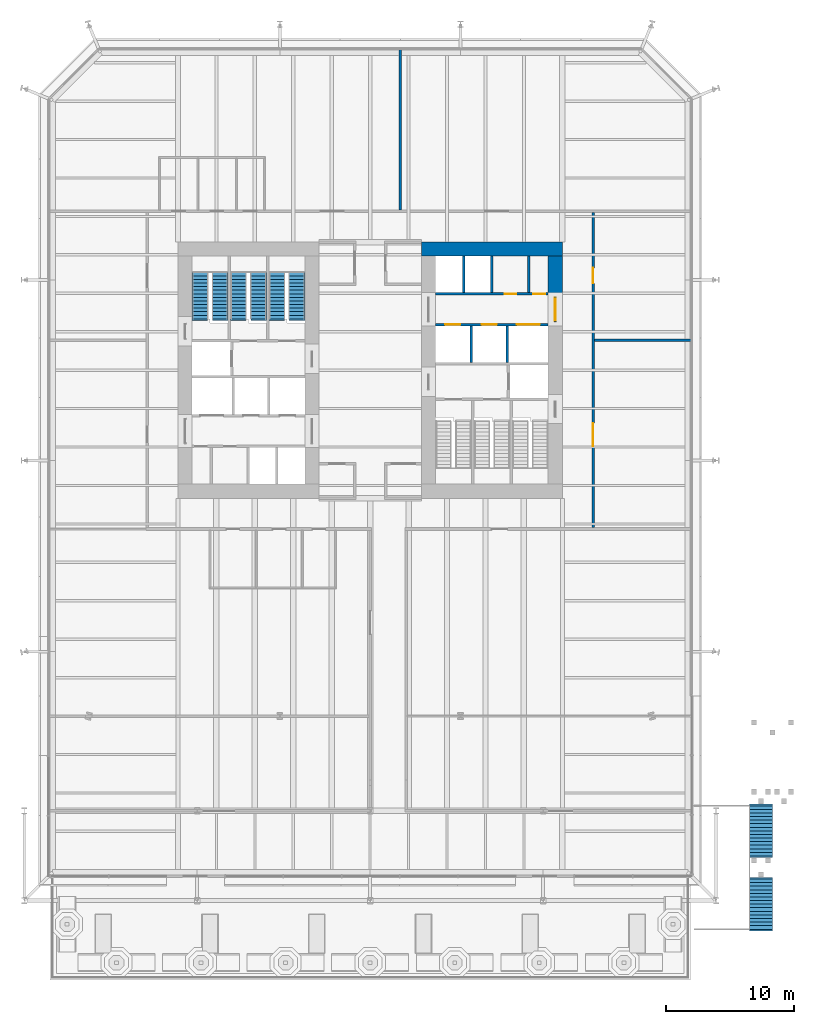
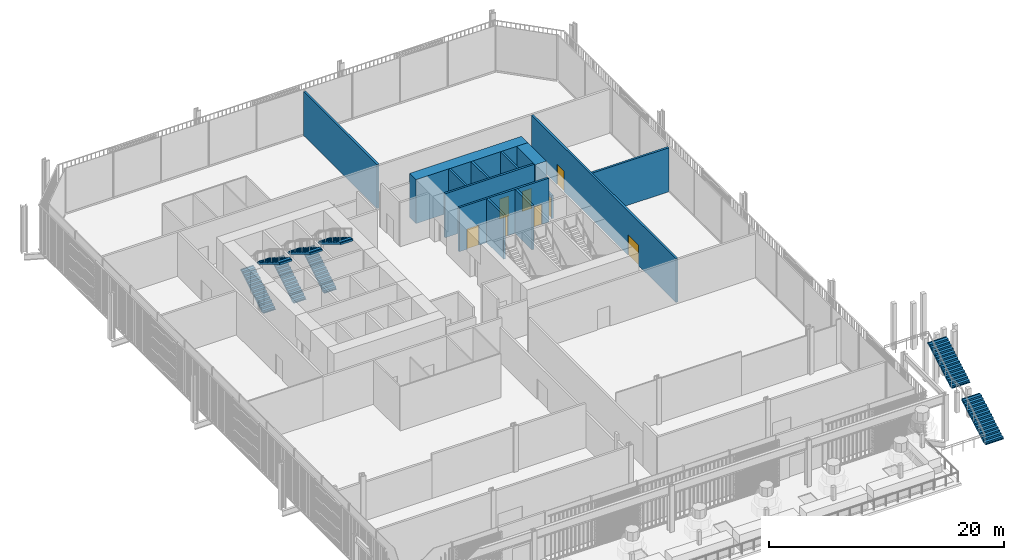
# One storey, part 21 of 25: 13 walls, 8 doors, 8 stair flights, 8 openings, 4 elements without a shape of their own.
"""IFC4 building model written with IfcOpenShell, lengths in metres."""

from ifc_helpers import new_model, si_unit, direction, frame, frame_2d, origin, place, context, subcontext, project, spatial, polyline, rectangle, outline, extrude, material, layer, layer_set, type_object, element, fill, aggregate, save


model = new_model("IFC4")

# Units and contexts
model_context = context("Model", 3, precision=1e-05, world=origin(), true_north=direction((0.0, 1.0)))
body_context = subcontext(model_context, "Body", "Model", "MODEL_VIEW")
ifc_project = project(units=[si_unit("LENGTHUNIT", "METRE"), si_unit("AREAUNIT", "SQUARE_METRE"), si_unit("VOLUMEUNIT", "CUBIC_METRE"), si_unit("PLANEANGLEUNIT", "RADIAN"), si_unit("MASSUNIT", "GRAM", prefix="KILO")], contexts=[model_context])

# Site, building, storey
site_placement = place(None, origin())
site = spatial("IfcSite", under=ifc_project, at=site_placement, CompositionType="ELEMENT")
building_placement = place(site_placement, origin())
building = spatial("IfcBuilding", under=site, at=building_placement, Name="Millrace Tower", CompositionType="ELEMENT")
storey_placement = place(building_placement, frame((0.0, 0.0, 6.5)))
storey = spatial("IfcBuildingStorey", under=building, at=storey_placement, Name="L02", CompositionType="ELEMENT", Elevation=6.5)

# Walls
ifc_material_1 = material(Name="Concrete C80", Category="concrete")
ifc_layer_1 = layer(ifc_material_1, 1.10009765625)
ifc_layer_set_1 = layer_set([ifc_layer_1], Name="Concrete C80")
wall_type_1 = type_object("IfcWallType", Name="Core wall 1100 Concrete C80", PredefinedType="SHEAR", material=ifc_layer_set_1)
wall_1_placement = place(storey_placement, frame((15.0, 9.449951171875, 0.0), z_axis=(0.0, 0.0, 1.0), x_axis=(-1.0, 0.0, 0.0)))
element("IfcWall", 1, at=wall_1_placement, inside=storey, type_object=wall_type_1, Name="Core wall E L02", PredefinedType="SHEAR", context=body_context, shape_type="SweptSolid", body=[
    extrude(rectangle(XDim=11.0, YDim=1.10009765625, at=frame_2d((5.5, 0.0))), origin(), (0.0, 0.0, 1.0), 4.574951171875),
])
wall_2_placement = place(storey_placement, frame((14.449951171875, 8.89990234375, 0.0), z_axis=(0.0, 0.0, 1.0), x_axis=(0.0, -1.0, 0.0)))
element("IfcWall", 2, at=wall_2_placement, inside=storey, type_object=wall_type_1, Name="Core wall E L02", PredefinedType="SHEAR", context=body_context, shape_type="SweptSolid", body=[
    extrude(rectangle(XDim=3.14990234375, YDim=1.10009765625, at=frame_2d((1.574951171875, 0.0))), origin(), (0.0, 0.0, 1.0), 4.574951171875),
])
ifc_material_2 = material(Name="Masonry partition, fire-rated", Category="masonry")
ifc_layer_2 = layer(ifc_material_2, 0.199951171875)
ifc_layer_set_2 = layer_set([ifc_layer_2], Name="Masonry partition, fire-rated")
wall_type_2 = type_object("IfcWallType", Name="Corridor wall 200", PredefinedType="PARTITIONING", material=ifc_layer_set_2)
wall_3_placement = place(storey_placement, frame((17.5, 2.35009765625, 0.0), z_axis=(0.0, 0.0, 1.0), x_axis=(1.0, 0.0, 0.0)))
element("IfcWall", 3, at=wall_3_placement, inside=storey, type_object=wall_type_2, Name="Corridor wall L02", PredefinedType="PARTITIONING", context=body_context, shape_type="SweptSolid", body=[
    extrude(rectangle(XDim=7.530029296875, YDim=0.199951171875, at=frame_2d((3.76513671875, 0.0))), origin(), (0.0, 0.0, 1.0), 4.574951171875),
])

# Wall, openings, doors
wall_4_placement = place(storey_placement, frame((17.39990234375, -12.300048828125, 0.0), z_axis=(0.0, 0.0, 1.0), x_axis=(0.0, 1.0, 0.0)))
wall_4 = element("IfcWall", 4, at=wall_4_placement, inside=storey, type_object=wall_type_2, Name="Corridor wall L02", PredefinedType="PARTITIONING", context=body_context, shape_type="SweptSolid", body=[
    extrude(rectangle(XDim=24.60009765625, YDim=0.199951171875, at=frame_2d((12.300048828125, 0.0))), origin(), (0.0, 0.0, 1.0), 4.574951171875),
])
opening_1_placement = place(wall_4_placement, frame((6.375, 0.0, 0.0)))
opening_1 = element("IfcOpeningElement", 5, at=opening_1_placement, cuts=wall_4, Name="Opening 02-P010", PredefinedType="OPENING", context=body_context, shape_type="SweptSolid", body=[
    extrude(rectangle(XDim=1.800048828125, YDim=2.10009765625, at=frame_2d((0.89990234375, 1.050048828125))), frame((0.0, 0.10986328125, 0.0), z_axis=(0.0, -1.0, 0.0), x_axis=(1.0, 0.0, 0.0)), (0.0, 0.0, 1.0), 0.219970703125),
])
opening_2_placement = place(wall_4_placement, frame((19.074951171875, 0.0, 0.0)))
opening_2 = element("IfcOpeningElement", 6, at=opening_2_placement, cuts=wall_4, Name="Opening 02-P011", PredefinedType="OPENING", context=body_context, shape_type="SweptSolid", body=[
    extrude(rectangle(XDim=1.199951171875, YDim=2.10009765625, at=frame_2d((0.60009765625, 1.050048828125))), frame((0.0, 0.10986328125, 0.0), z_axis=(0.0, -1.0, 0.0), x_axis=(1.0, 0.0, 0.0)), (0.0, 0.0, 1.0), 0.219970703125),
])
ifc_material_3 = material(Name="Steel door set, fire-rated", Category="steel")
door_type_1 = type_object("IfcDoorType", Name="Corridor door 1200 x 2100", OperationType="SINGLE_SWING_LEFT", PredefinedType="DOOR", material=ifc_material_3)
door_1_placement = place(opening_2_placement, frame((1.199951171875, 0.0, 0.0), z_axis=(0.0, 0.0, 1.0), x_axis=(-1.0, 0.0, 0.0)))
door_1 = element("IfcDoor", 7, at=door_1_placement, inside=storey, type_object=door_type_1, Name="Door 02-P011", OperationType="SINGLE_SWING_LEFT", OverallHeight=2.10009765625, OverallWidth=1.199951171875, PredefinedType="DOOR", context=body_context, shape_type="SweptSolid", body=[
    extrude(rectangle(XDim=1.199951171875, YDim=2.10009765625, at=frame_2d((0.60009765625, 1.050048828125))), frame((0.0, 0.02490234375, 0.0), z_axis=(0.0, -1.0, 0.0), x_axis=(1.0, 0.0, 0.0)), (0.0, 0.0, 1.0), 0.050048828125),
])
fill(opening_2, door_1)
ifc_material_4 = material(Name="Steel door set, fire-rated", Category="steel")
door_type_2 = type_object("IfcDoorType", Name="Data hall door 1800 x 2100", OperationType="DOUBLE_DOOR_SINGLE_SWING", PredefinedType="DOOR", material=ifc_material_4)
door_2_placement = place(opening_1_placement, frame((1.800048828125, 0.0, 0.0), z_axis=(0.0, 0.0, 1.0), x_axis=(-1.0, 0.0, 0.0)))
door_2 = element("IfcDoor", 8, at=door_2_placement, inside=storey, type_object=door_type_2, Name="Door 02-P010", OperationType="DOUBLE_DOOR_SINGLE_SWING", OverallHeight=2.10009765625, OverallWidth=1.800048828125, PredefinedType="DOOR", context=body_context, shape_type="SweptSolid", body=[
    extrude(rectangle(XDim=1.800048828125, YDim=2.10009765625, at=frame_2d((0.89990234375, 1.050048828125))), frame((0.0, 0.02490234375, 0.0), z_axis=(0.0, -1.0, 0.0), x_axis=(1.0, 0.0, 0.0)), (0.0, 0.0, 1.0), 0.050048828125),
])
fill(opening_1, door_2)

# Wall
wall_5_placement = place(storey_placement, frame((2.35009765625, 12.5, 0.0), z_axis=(0.0, 0.0, 1.0), x_axis=(0.0, 1.0, 0.0)))
element("IfcWall", 9, at=wall_5_placement, inside=storey, type_object=wall_type_2, Name="Corridor wall L02", PredefinedType="PARTITIONING", context=body_context, shape_type="SweptSolid", body=[
    extrude(rectangle(XDim=12.530029296875, YDim=0.199951171875, at=frame_2d((6.26513671875, 0.0))), origin(), (0.0, 0.0, 1.0), 4.574951171875),
])

# Wall, openings, doors
ifc_material_5 = material(Name="Masonry partition, fire-rated", Category="masonry")
ifc_layer_3 = layer(ifc_material_5, 0.199951171875)
ifc_layer_set_3 = layer_set([ifc_layer_3], Name="Masonry partition, fire-rated")
wall_type_3 = type_object("IfcWallType", Name="Lift shaft wall 200", PredefinedType="PARTITIONING", material=ifc_layer_set_3)
wall_6_placement = place(storey_placement, frame((13.89990234375, 5.949951171875, 0.0), z_axis=(0.0, 0.0, 1.0), x_axis=(-1.0, 0.0, 0.0)))
wall_6 = element("IfcWall", 10, at=wall_6_placement, inside=storey, type_object=wall_type_3, Name="Lift shaft wall E L02", PredefinedType="PARTITIONING", context=body_context, shape_type="SweptSolid", body=[
    extrude(rectangle(XDim=8.7998046875, YDim=0.199951171875, at=frame_2d((4.39990234375, 0.0))), origin(), (0.0, 0.0, 1.0), 4.574951171875),
])
opening_3_placement = place(wall_6_placement, frame((0.25244140625, 0.0, 0.0)))
opening_3 = element("IfcOpeningElement", 11, at=opening_3_placement, cuts=wall_6, Name="Opening 02-C013", PredefinedType="OPENING", context=body_context, shape_type="SweptSolid", body=[
    extrude(rectangle(XDim=0.89990234375, YDim=2.10009765625, at=frame_2d((0.449951171875, 1.050048828125))), frame((0.0, 0.10986328125, 0.0), z_axis=(0.0, -1.0, 0.0), x_axis=(1.0, 0.0, 0.0)), (0.0, 0.0, 1.0), 0.219970703125),
])
opening_4_placement = place(wall_6_placement, frame((2.50244140625, 0.0, 0.0)))
opening_4 = element("IfcOpeningElement", 12, at=opening_4_placement, cuts=wall_6, Name="Opening 02-C014", PredefinedType="OPENING", context=body_context, shape_type="SweptSolid", body=[
    extrude(rectangle(XDim=0.89990234375, YDim=2.10009765625, at=frame_2d((0.449951171875, 1.050048828125))), frame((0.0, 0.10986328125, 0.0), z_axis=(0.0, -1.0, 0.0), x_axis=(1.0, 0.0, 0.0)), (0.0, 0.0, 1.0), 0.219970703125),
])
ifc_material_6 = material(Name="Steel door, fire-rated", Category="steel")
door_type_3 = type_object("IfcDoorType", Name="Service room door 900 x 2100", OperationType="SINGLE_SWING_LEFT", PredefinedType="DOOR", material=ifc_material_6)
door_3_placement = place(opening_3_placement, frame((0.89990234375, 0.0, 0.0), z_axis=(0.0, 0.0, 1.0), x_axis=(-1.0, 0.0, 0.0)))
door_3 = element("IfcDoor", 13, at=door_3_placement, inside=storey, type_object=door_type_3, Name="Service room door 02-C013", OperationType="SINGLE_SWING_RIGHT", OverallHeight=2.10009765625, OverallWidth=0.89990234375, PredefinedType="DOOR", context=body_context, shape_type="SweptSolid", body=[
    extrude(rectangle(XDim=0.89990234375, YDim=2.10009765625, at=frame_2d((0.449951171875, 1.050048828125))), frame((0.0, 0.02490234375, 0.0), z_axis=(0.0, -1.0, 0.0), x_axis=(1.0, 0.0, 0.0)), (0.0, 0.0, 1.0), 0.050048828125),
])
fill(opening_3, door_3)
door_4_placement = place(opening_4_placement, frame((0.89990234375, 0.0, 0.0), z_axis=(0.0, 0.0, 1.0), x_axis=(-1.0, 0.0, 0.0)))
door_4 = element("IfcDoor", 14, at=door_4_placement, inside=storey, type_object=door_type_3, Name="Service room door 02-C014", OperationType="SINGLE_SWING_RIGHT", OverallHeight=2.10009765625, OverallWidth=0.89990234375, PredefinedType="DOOR", context=body_context, shape_type="SweptSolid", body=[
    extrude(rectangle(XDim=0.89990234375, YDim=2.10009765625, at=frame_2d((0.449951171875, 1.050048828125))), frame((0.0, 0.02490234375, 0.0), z_axis=(0.0, -1.0, 0.0), x_axis=(1.0, 0.0, 0.0)), (0.0, 0.0, 1.0), 0.050048828125),
])
fill(opening_4, door_4)

wall_7_placement = place(storey_placement, frame((13.89990234375, 3.550048828125, 0.0), z_axis=(0.0, 0.0, 1.0), x_axis=(-1.0, 0.0, 0.0)))
wall_7 = element("IfcWall", 15, at=wall_7_placement, inside=storey, type_object=wall_type_3, Name="Lift shaft wall E L02", PredefinedType="PARTITIONING", context=body_context, shape_type="SweptSolid", body=[
    extrude(rectangle(XDim=8.7998046875, YDim=0.199951171875, at=frame_2d((4.39990234375, 0.0))), origin(), (0.0, 0.0, 1.0), 4.574951171875),
])
opening_5_placement = place(wall_7_placement, frame((0.64990234375, 0.0, 0.0)))
opening_5 = element("IfcOpeningElement", 16, at=opening_5_placement, cuts=wall_7, Name="Opening 02-LD13", PredefinedType="OPENING", context=body_context, shape_type="SweptSolid", body=[
    extrude(rectangle(XDim=1.800048828125, YDim=2.10009765625, at=frame_2d((0.89990234375, 1.050048828125))), frame((0.0, 0.10986328125, 0.0), z_axis=(0.0, -1.0, 0.0), x_axis=(1.0, 0.0, 0.0)), (0.0, 0.0, 1.0), 0.219970703125),
])
opening_6_placement = place(wall_7_placement, frame((4.0, 0.0, 0.0)))
opening_6 = element("IfcOpeningElement", 17, at=opening_6_placement, cuts=wall_7, Name="Opening 02-LD14", PredefinedType="OPENING", context=body_context, shape_type="SweptSolid", body=[
    extrude(rectangle(XDim=1.199951171875, YDim=2.10009765625, at=frame_2d((0.60009765625, 1.050048828125))), frame((0.0, 0.10986328125, 0.0), z_axis=(0.0, -1.0, 0.0), x_axis=(1.0, 0.0, 0.0)), (0.0, 0.0, 1.0), 0.219970703125),
])
opening_7_placement = place(wall_7_placement, frame((6.85009765625, 0.0, 0.0)))
opening_7 = element("IfcOpeningElement", 18, at=opening_7_placement, cuts=wall_7, Name="Opening 02-LD15", PredefinedType="OPENING", context=body_context, shape_type="SweptSolid", body=[
    extrude(rectangle(XDim=1.199951171875, YDim=2.10009765625, at=frame_2d((0.60009765625, 1.050048828125))), frame((0.0, 0.10986328125, 0.0), z_axis=(0.0, -1.0, 0.0), x_axis=(1.0, 0.0, 0.0)), (0.0, 0.0, 1.0), 0.219970703125),
])
ifc_material_7 = material(Name="Stainless steel, fire-rated", Category="steel")
door_type_4 = type_object("IfcDoorType", Name="Lift landing door 1200 x 2100", OperationType="DOUBLE_DOOR_SLIDING", PredefinedType="DOOR", material=ifc_material_7)
door_5_placement = place(opening_6_placement, origin())
door_5 = element("IfcDoor", 19, at=door_5_placement, inside=storey, type_object=door_type_4, Name="Lift landing door LF14 L02", OperationType="DOUBLE_DOOR_SLIDING", OverallHeight=2.10009765625, OverallWidth=1.199951171875, PredefinedType="DOOR", context=body_context, shape_type="SweptSolid", body=[
    extrude(rectangle(XDim=1.199951171875, YDim=2.10009765625, at=frame_2d((0.60009765625, 1.050048828125))), frame((0.0, 0.02490234375, 0.0), z_axis=(0.0, -1.0, 0.0), x_axis=(1.0, 0.0, 0.0)), (0.0, 0.0, 1.0), 0.050048828125),
])
fill(opening_6, door_5)
door_6_placement = place(opening_7_placement, origin())
door_6 = element("IfcDoor", 20, at=door_6_placement, inside=storey, type_object=door_type_4, Name="Lift landing door LF15 L02", OperationType="DOUBLE_DOOR_SLIDING", OverallHeight=2.10009765625, OverallWidth=1.199951171875, PredefinedType="DOOR", context=body_context, shape_type="SweptSolid", body=[
    extrude(rectangle(XDim=1.199951171875, YDim=2.10009765625, at=frame_2d((0.60009765625, 1.050048828125))), frame((0.0, 0.02490234375, 0.0), z_axis=(0.0, -1.0, 0.0), x_axis=(1.0, 0.0, 0.0)), (0.0, 0.0, 1.0), 0.050048828125),
])
fill(opening_7, door_6)
ifc_material_8 = material(Name="Stainless steel, fire-rated", Category="steel")
door_type_5 = type_object("IfcDoorType", Name="Lift landing door 1800 x 2100", OperationType="DOUBLE_DOOR_SLIDING", PredefinedType="DOOR", material=ifc_material_8)
door_7_placement = place(opening_5_placement, origin())
door_7 = element("IfcDoor", 21, at=door_7_placement, inside=storey, type_object=door_type_5, Name="Lift landing door LF13 L02", OperationType="DOUBLE_DOOR_SLIDING", OverallHeight=2.10009765625, OverallWidth=1.800048828125, PredefinedType="DOOR", context=body_context, shape_type="SweptSolid", body=[
    extrude(rectangle(XDim=1.800048828125, YDim=2.10009765625, at=frame_2d((0.89990234375, 1.050048828125))), frame((0.0, 0.02490234375, 0.0), z_axis=(0.0, -1.0, 0.0), x_axis=(1.0, 0.0, 0.0)), (0.0, 0.0, 1.0), 0.050048828125),
])
fill(opening_5, door_7)

# Walls
for number, where, z_axis, x_axis, name in (
    (22, (9.5, 8.89990234375, 0.0), (0.0, 0.0, 1.0), (0.0, -1.0, 0.0), "Lift shaft wall E L02"),
    (23, (7.300048828125, 8.89990234375, 0.0), (0.0, 0.0, 1.0), (0.0, -1.0, 0.0), "Lift shaft wall E L02"),
    (24, (10.699951171875, 3.449951171875, 0.0), (0.0, 0.0, 1.0), (0.0, -1.0, 0.0), "Lift shaft wall E L02"),
    (25, (7.89990234375, 3.449951171875, 0.0), (0.0, 0.0, 1.0), (0.0, -1.0, 0.0), "Lift shaft wall E L02"),
):
    element("IfcWall", number, at=place(storey_placement, frame(where, z_axis=z_axis, x_axis=x_axis)), inside=storey, type_object=wall_type_3, Name=name, PredefinedType="PARTITIONING", context=body_context, shape_type="SweptSolid", body=[
        extrude(rectangle(XDim=2.849853515625, YDim=0.199951171875, at=frame_2d((1.4248046875, 0.0))), origin(), (0.0, 0.0, 1.0), 4.574951171875),
    ])

# Wall, opening, door
ifc_material_9 = material(Name="Masonry partition, fire-rated", Category="masonry")
ifc_layer_4 = layer(ifc_material_9, 0.199951171875)
ifc_layer_set_4 = layer_set([ifc_layer_4], Name="Masonry partition, fire-rated")
wall_type_4 = type_object("IfcWallType", Name="Lobby wall 200", PredefinedType="PARTITIONING", material=ifc_layer_set_4)
wall_8_placement = place(storey_placement, frame((14.449951171875, 5.75, 0.0), z_axis=(0.0, 0.0, 1.0), x_axis=(0.0, -1.0, 0.0)))
wall_8 = element("IfcWall", 26, at=wall_8_placement, inside=storey, type_object=wall_type_4, Name="Lobby wall E L02", PredefinedType="PARTITIONING", context=body_context, shape_type="SweptSolid", body=[
    extrude(rectangle(XDim=2.0, YDim=0.199951171875, at=frame_2d((1.0, 0.0))), origin(), (0.0, 0.0, 1.0), 2.39990234375),
])
opening_8_placement = place(wall_8_placement, frame((0.10009765625, 0.0, 0.0)))
opening_8 = element("IfcOpeningElement", 27, at=opening_8_placement, cuts=wall_8, Name="Opening 02-C009", PredefinedType="OPENING", context=body_context, shape_type="SweptSolid", body=[
    extrude(rectangle(XDim=1.800048828125, YDim=2.10009765625, at=frame_2d((0.89990234375, 1.050048828125))), frame((0.0, 0.10986328125, 0.0), z_axis=(0.0, -1.0, 0.0), x_axis=(1.0, 0.0, 0.0)), (0.0, 0.0, 1.0), 0.219970703125),
])
ifc_material_10 = material(Name="Steel door, fire-rated", Category="steel")
door_type_6 = type_object("IfcDoorType", Name="Lobby door 1800 x 2100", OperationType="DOUBLE_DOOR_SINGLE_SWING", PredefinedType="DOOR", material=ifc_material_10)
door_8_placement = place(opening_8_placement, origin())
door_8 = element("IfcDoor", 28, at=door_8_placement, inside=storey, type_object=door_type_6, Name="Lobby door 02-C009", OperationType="DOUBLE_DOOR_SINGLE_SWING", OverallHeight=2.10009765625, OverallWidth=1.800048828125, PredefinedType="DOOR", context=body_context, shape_type="SweptSolid", body=[
    extrude(rectangle(XDim=1.800048828125, YDim=2.10009765625, at=frame_2d((0.89990234375, 1.050048828125))), frame((0.0, 0.02490234375, 0.0), z_axis=(0.0, -1.0, 0.0), x_axis=(1.0, 0.0, 0.0)), (0.0, 0.0, 1.0), 0.050048828125),
])
fill(opening_8, door_8)

# Wall
ifc_material_11 = material(Name="Masonry partition, fire-rated", Category="masonry")
ifc_layer_5 = layer(ifc_material_11, 0.199951171875)
ifc_layer_set_5 = layer_set([ifc_layer_5], Name="Masonry partition, fire-rated")
wall_type_5 = type_object("IfcWallType", Name="Room partition 200", PredefinedType="PARTITIONING", material=ifc_layer_set_5)
wall_9_placement = place(storey_placement, frame((12.39501953125, 8.89990234375, 0.0), z_axis=(0.0, 0.0, 1.0), x_axis=(0.0, -1.0, 0.0)))
element("IfcWall", 29, at=wall_9_placement, inside=storey, type_object=wall_type_5, Name="Room partition E L02", PredefinedType="PARTITIONING", context=body_context, shape_type="SweptSolid", body=[
    extrude(rectangle(XDim=2.849853515625, YDim=0.199951171875, at=frame_2d((1.4248046875, 0.0))), origin(), (0.0, 0.0, 1.0), 4.574951171875),
])

# Stair, stair flights
ifc_material_12 = material(Name="Concrete C35", Category="concrete")
stair_type_1 = type_object("IfcStairType", Name="Exit stair", PredefinedType="HALF_TURN_STAIR", material=ifc_material_12)
placement = place(storey_placement, origin())
stair_1 = element("IfcStair", 30, at=placement, inside=storey, type_object=stair_type_1, Name="Stair 1 W L02", PredefinedType="HALF_TURN_STAIR")
ifc_material_13 = material(Name="Concrete C35", Category="concrete")
stair_flight_type_1 = type_object("IfcStairFlightType", Name="Exit stair flight", PredefinedType="STRAIGHT", material=ifc_material_13)
stair_flight_1_placement = place(storey_placement, frame((-13.2900390625, 4.0, 0.0), z_axis=(0.0, 0.0, 1.0), x_axis=(0.0, 1.0, 0.0)))
stair_flight_1 = element("IfcStairFlight", 31, at=stair_flight_1_placement, type_object=stair_flight_type_1, Name="ST12 flight 1", NumberOfRisers=14, NumberOfTreads=13, PredefinedType="STRAIGHT", RiserHeight=0.171428571, TreadLength=0.28, context=body_context, shape_type="SweptSolid", body=[
    extrude(outline(polyline([(-0.1201171875, -0.0400390625), (-0.1201171875, 0.0), (0.0, 0.0), (0.0, 0.17138671875), (0.280029296875, 0.17138671875), (0.280029296875, 0.3427734375), (0.56005859375, 0.3427734375), (0.56005859375, 0.514404296875), (0.840087890625, 0.514404296875), (0.840087890625, 0.685791015625), (1.1201171875, 0.685791015625), (1.1201171875, 0.857177734375), (1.39990234375, 0.857177734375), (1.39990234375, 1.028564453125), (1.679931640625, 1.028564453125), (1.679931640625, 1.199951171875), (1.9599609375, 1.199951171875), (1.9599609375, 1.371337890625), (2.239990234375, 1.371337890625), (2.239990234375, 1.54296875), (2.52001953125, 1.54296875), (2.52001953125, 1.71435546875), (2.800048828125, 1.71435546875), (2.800048828125, 1.8857421875), (3.080078125, 1.8857421875), (3.080078125, 2.05712890625), (3.360107421875, 2.05712890625), (3.360107421875, 2.228515625), (3.639892578125, 2.228515625), (3.639892578125, 2.24853515625), (3.760009765625, 2.24853515625), (3.760009765625, 2.052734375), (3.639892578125, 2.052734375), (0.287109375, 0.0), (0.287109375, -0.0400390625), (-0.1201171875, -0.0400390625)])), frame((0.0, 0.60986328125, 0.0), z_axis=(0.0, -1.0, 0.0), x_axis=(1.0, 0.0, 0.0)), (0.0, 0.0, 1.0), 1.219970703125),
])
stair_flight_2_placement = place(storey_placement, frame((-11.7099609375, 7.639892578125, 2.39990234375), z_axis=(0.0, 0.0, 1.0), x_axis=(0.0, -1.0, 0.0)))
stair_flight_2 = element("IfcStairFlight", 32, at=stair_flight_2_placement, type_object=stair_flight_type_1, Name="ST12 flight 2", NumberOfRisers=14, NumberOfTreads=13, PredefinedType="STRAIGHT", RiserHeight=0.171428571, TreadLength=0.28, context=body_context, shape_type="SweptSolid", body=[
    extrude(outline(polyline([(-0.1201171875, -0.0400390625), (-0.1201171875, 0.0), (0.0, 0.0), (0.0, 0.17138671875), (0.280029296875, 0.17138671875), (0.280029296875, 0.3427734375), (0.56005859375, 0.3427734375), (0.56005859375, 0.514404296875), (0.840087890625, 0.514404296875), (0.840087890625, 0.685791015625), (1.1201171875, 0.685791015625), (1.1201171875, 0.857177734375), (1.39990234375, 0.857177734375), (1.39990234375, 1.028564453125), (1.679931640625, 1.028564453125), (1.679931640625, 1.199951171875), (1.9599609375, 1.199951171875), (1.9599609375, 1.371337890625), (2.239990234375, 1.371337890625), (2.239990234375, 1.54296875), (2.52001953125, 1.54296875), (2.52001953125, 1.71435546875), (2.800048828125, 1.71435546875), (2.800048828125, 1.8857421875), (3.080078125, 1.8857421875), (3.080078125, 2.05712890625), (3.360107421875, 2.05712890625), (3.360107421875, 2.228515625), (3.639892578125, 2.228515625), (3.639892578125, 2.24853515625), (3.760009765625, 2.24853515625), (3.760009765625, 2.052734375), (3.639892578125, 2.052734375), (0.287109375, 0.0), (0.287109375, -0.0400390625), (-0.1201171875, -0.0400390625)])), frame((0.0, 0.60986328125, 0.0), z_axis=(0.0, -1.0, 0.0), x_axis=(1.0, 0.0, 0.0)), (0.0, 0.0, 1.0), 1.219970703125),
])
aggregate(stair_1, [stair_flight_1, stair_flight_2])

stair_2 = element("IfcStair", 33, at=placement, inside=storey, type_object=stair_type_1, Name="Stair 2 W L02", PredefinedType="HALF_TURN_STAIR")
stair_flight_3_placement = place(storey_placement, frame((-10.2900390625, 4.0, 0.0), z_axis=(0.0, 0.0, 1.0), x_axis=(0.0, 1.0, 0.0)))
stair_flight_3 = element("IfcStairFlight", 34, at=stair_flight_3_placement, type_object=stair_flight_type_1, Name="ST12 flight 1", NumberOfRisers=14, NumberOfTreads=13, PredefinedType="STRAIGHT", RiserHeight=0.171428571, TreadLength=0.28, context=body_context, shape_type="SweptSolid", body=[
    extrude(outline(polyline([(-0.1201171875, -0.0400390625), (-0.1201171875, 0.0), (0.0, 0.0), (0.0, 0.17138671875), (0.280029296875, 0.17138671875), (0.280029296875, 0.3427734375), (0.56005859375, 0.3427734375), (0.56005859375, 0.514404296875), (0.840087890625, 0.514404296875), (0.840087890625, 0.685791015625), (1.1201171875, 0.685791015625), (1.1201171875, 0.857177734375), (1.39990234375, 0.857177734375), (1.39990234375, 1.028564453125), (1.679931640625, 1.028564453125), (1.679931640625, 1.199951171875), (1.9599609375, 1.199951171875), (1.9599609375, 1.371337890625), (2.239990234375, 1.371337890625), (2.239990234375, 1.54296875), (2.52001953125, 1.54296875), (2.52001953125, 1.71435546875), (2.800048828125, 1.71435546875), (2.800048828125, 1.8857421875), (3.080078125, 1.8857421875), (3.080078125, 2.05712890625), (3.360107421875, 2.05712890625), (3.360107421875, 2.228515625), (3.639892578125, 2.228515625), (3.639892578125, 2.24853515625), (3.760009765625, 2.24853515625), (3.760009765625, 2.052734375), (3.639892578125, 2.052734375), (0.287109375, 0.0), (0.287109375, -0.0400390625), (-0.1201171875, -0.0400390625)])), frame((0.0, 0.60986328125, 0.0), z_axis=(0.0, -1.0, 0.0), x_axis=(1.0, 0.0, 0.0)), (0.0, 0.0, 1.0), 1.219970703125),
])
stair_flight_4_placement = place(storey_placement, frame((-8.7099609375, 7.639892578125, 2.39990234375), z_axis=(0.0, 0.0, 1.0), x_axis=(0.0, -1.0, 0.0)))
stair_flight_4 = element("IfcStairFlight", 35, at=stair_flight_4_placement, type_object=stair_flight_type_1, Name="ST12 flight 2", NumberOfRisers=14, NumberOfTreads=13, PredefinedType="STRAIGHT", RiserHeight=0.171428571, TreadLength=0.28, context=body_context, shape_type="SweptSolid", body=[
    extrude(outline(polyline([(-0.1201171875, -0.0400390625), (-0.1201171875, 0.0), (0.0, 0.0), (0.0, 0.17138671875), (0.280029296875, 0.17138671875), (0.280029296875, 0.3427734375), (0.56005859375, 0.3427734375), (0.56005859375, 0.514404296875), (0.840087890625, 0.514404296875), (0.840087890625, 0.685791015625), (1.1201171875, 0.685791015625), (1.1201171875, 0.857177734375), (1.39990234375, 0.857177734375), (1.39990234375, 1.028564453125), (1.679931640625, 1.028564453125), (1.679931640625, 1.199951171875), (1.9599609375, 1.199951171875), (1.9599609375, 1.371337890625), (2.239990234375, 1.371337890625), (2.239990234375, 1.54296875), (2.52001953125, 1.54296875), (2.52001953125, 1.71435546875), (2.800048828125, 1.71435546875), (2.800048828125, 1.8857421875), (3.080078125, 1.8857421875), (3.080078125, 2.05712890625), (3.360107421875, 2.05712890625), (3.360107421875, 2.228515625), (3.639892578125, 2.228515625), (3.639892578125, 2.24853515625), (3.760009765625, 2.24853515625), (3.760009765625, 2.052734375), (3.639892578125, 2.052734375), (0.287109375, 0.0), (0.287109375, -0.0400390625), (-0.1201171875, -0.0400390625)])), frame((0.0, 0.60986328125, 0.0), z_axis=(0.0, -1.0, 0.0), x_axis=(1.0, 0.0, 0.0)), (0.0, 0.0, 1.0), 1.219970703125),
])
aggregate(stair_2, [stair_flight_3, stair_flight_4])

stair_3 = element("IfcStair", 36, at=placement, inside=storey, type_object=stair_type_1, Name="Stair 3 W L02", PredefinedType="HALF_TURN_STAIR")
stair_flight_5_placement = place(storey_placement, frame((-7.2900390625, 4.0, 0.0), z_axis=(0.0, 0.0, 1.0), x_axis=(0.0, 1.0, 0.0)))
stair_flight_5 = element("IfcStairFlight", 37, at=stair_flight_5_placement, type_object=stair_flight_type_1, Name="ST12 flight 1", NumberOfRisers=14, NumberOfTreads=13, PredefinedType="STRAIGHT", RiserHeight=0.171428571, TreadLength=0.28, context=body_context, shape_type="SweptSolid", body=[
    extrude(outline(polyline([(-0.1201171875, -0.0400390625), (-0.1201171875, 0.0), (0.0, 0.0), (0.0, 0.17138671875), (0.280029296875, 0.17138671875), (0.280029296875, 0.3427734375), (0.56005859375, 0.3427734375), (0.56005859375, 0.514404296875), (0.840087890625, 0.514404296875), (0.840087890625, 0.685791015625), (1.1201171875, 0.685791015625), (1.1201171875, 0.857177734375), (1.39990234375, 0.857177734375), (1.39990234375, 1.028564453125), (1.679931640625, 1.028564453125), (1.679931640625, 1.199951171875), (1.9599609375, 1.199951171875), (1.9599609375, 1.371337890625), (2.239990234375, 1.371337890625), (2.239990234375, 1.54296875), (2.52001953125, 1.54296875), (2.52001953125, 1.71435546875), (2.800048828125, 1.71435546875), (2.800048828125, 1.8857421875), (3.080078125, 1.8857421875), (3.080078125, 2.05712890625), (3.360107421875, 2.05712890625), (3.360107421875, 2.228515625), (3.639892578125, 2.228515625), (3.639892578125, 2.24853515625), (3.760009765625, 2.24853515625), (3.760009765625, 2.052734375), (3.639892578125, 2.052734375), (0.287109375, 0.0), (0.287109375, -0.0400390625), (-0.1201171875, -0.0400390625)])), frame((0.0, 0.60986328125, 0.0), z_axis=(0.0, -1.0, 0.0), x_axis=(1.0, 0.0, 0.0)), (0.0, 0.0, 1.0), 1.219970703125),
])
stair_flight_6_placement = place(storey_placement, frame((-5.7099609375, 7.639892578125, 2.39990234375), z_axis=(0.0, 0.0, 1.0), x_axis=(0.0, -1.0, 0.0)))
stair_flight_6 = element("IfcStairFlight", 38, at=stair_flight_6_placement, type_object=stair_flight_type_1, Name="ST12 flight 2", NumberOfRisers=14, NumberOfTreads=13, PredefinedType="STRAIGHT", RiserHeight=0.171428571, TreadLength=0.28, context=body_context, shape_type="SweptSolid", body=[
    extrude(outline(polyline([(-0.1201171875, -0.0400390625), (-0.1201171875, 0.0), (0.0, 0.0), (0.0, 0.17138671875), (0.280029296875, 0.17138671875), (0.280029296875, 0.3427734375), (0.56005859375, 0.3427734375), (0.56005859375, 0.514404296875), (0.840087890625, 0.514404296875), (0.840087890625, 0.685791015625), (1.1201171875, 0.685791015625), (1.1201171875, 0.857177734375), (1.39990234375, 0.857177734375), (1.39990234375, 1.028564453125), (1.679931640625, 1.028564453125), (1.679931640625, 1.199951171875), (1.9599609375, 1.199951171875), (1.9599609375, 1.371337890625), (2.239990234375, 1.371337890625), (2.239990234375, 1.54296875), (2.52001953125, 1.54296875), (2.52001953125, 1.71435546875), (2.800048828125, 1.71435546875), (2.800048828125, 1.8857421875), (3.080078125, 1.8857421875), (3.080078125, 2.05712890625), (3.360107421875, 2.05712890625), (3.360107421875, 2.228515625), (3.639892578125, 2.228515625), (3.639892578125, 2.24853515625), (3.760009765625, 2.24853515625), (3.760009765625, 2.052734375), (3.639892578125, 2.052734375), (0.287109375, 0.0), (0.287109375, -0.0400390625), (-0.1201171875, -0.0400390625)])), frame((0.0, 0.60986328125, 0.0), z_axis=(0.0, -1.0, 0.0), x_axis=(1.0, 0.0, 0.0)), (0.0, 0.0, 1.0), 1.219970703125),
])
aggregate(stair_3, [stair_flight_5, stair_flight_6])

ifc_material_14 = material(Name="Concrete C40", Category="concrete")
stair_type_2 = type_object("IfcStairType", Name="Public stair, two flights and landing", PredefinedType="TWO_STRAIGHT_RUN_STAIR", material=ifc_material_14)
stair_4 = element("IfcStair", 39, at=placement, inside=storey, type_object=stair_type_2, Name="Public stair PS-B", PredefinedType="TWO_STRAIGHT_RUN_STAIR")
ifc_material_15 = material(Name="Concrete C40", Category="concrete")
stair_flight_type_2 = type_object("IfcStairFlightType", Name="Public stair flight", PredefinedType="STRAIGHT", material=ifc_material_15)
stair_flight_7_placement = place(storey_placement, frame((30.5, -43.639892578125, 0.0), z_axis=(0.0, 0.0, 1.0), x_axis=(0.0, 1.0, 0.0)))
stair_flight_7 = element("IfcStairFlight", 40, at=stair_flight_7_placement, type_object=stair_flight_type_2, Name="PS2 flight 1", NumberOfRisers=15, NumberOfTreads=14, PredefinedType="STRAIGHT", RiserHeight=0.16, TreadLength=0.28, context=body_context, shape_type="SweptSolid", body=[
    extrude(outline(polyline([(-0.1201171875, -0.0400390625), (-0.1201171875, 0.0), (0.0, 0.0), (0.0, 0.159912109375), (0.280029296875, 0.159912109375), (0.280029296875, 0.320068359375), (0.56005859375, 0.320068359375), (0.56005859375, 0.47998046875), (0.840087890625, 0.47998046875), (0.840087890625, 0.639892578125), (1.1201171875, 0.639892578125), (1.1201171875, 0.800048828125), (1.39990234375, 0.800048828125), (1.39990234375, 0.9599609375), (1.679931640625, 0.9599609375), (1.679931640625, 1.1201171875), (1.9599609375, 1.1201171875), (1.9599609375, 1.280029296875), (2.239990234375, 1.280029296875), (2.239990234375, 1.43994140625), (2.52001953125, 1.43994140625), (2.52001953125, 1.60009765625), (2.800048828125, 1.60009765625), (2.800048828125, 1.760009765625), (3.080078125, 1.760009765625), (3.080078125, 1.919921875), (3.360107421875, 1.919921875), (3.360107421875, 2.080078125), (3.639892578125, 2.080078125), (3.639892578125, 2.239990234375), (3.919921875, 2.239990234375), (3.919921875, 2.260009765625), (4.0400390625, 2.260009765625), (4.0400390625, 2.0673828125), (3.919921875, 2.0673828125), (0.30224609375, 0.0), (0.30224609375, -0.0400390625), (-0.1201171875, -0.0400390625)])), frame((0.0, 0.89990234375, 0.0), z_axis=(0.0, -1.0, 0.0), x_axis=(1.0, 0.0, 0.0)), (0.0, 0.0, 1.0), 1.800048828125),
])
stair_flight_8_placement = place(storey_placement, frame((30.5, -37.919921875, 2.39990234375), z_axis=(0.0, 0.0, 1.0), x_axis=(0.0, 1.0, 0.0)))
stair_flight_8 = element("IfcStairFlight", 41, at=stair_flight_8_placement, type_object=stair_flight_type_2, Name="PS2 flight 2", NumberOfRisers=15, NumberOfTreads=14, PredefinedType="STRAIGHT", RiserHeight=0.16, TreadLength=0.28, context=body_context, shape_type="SweptSolid", body=[
    extrude(outline(polyline([(-0.1201171875, -0.0400390625), (-0.1201171875, 0.0), (0.0, 0.0), (0.0, 0.159912109375), (0.280029296875, 0.159912109375), (0.280029296875, 0.320068359375), (0.56005859375, 0.320068359375), (0.56005859375, 0.47998046875), (0.840087890625, 0.47998046875), (0.840087890625, 0.639892578125), (1.1201171875, 0.639892578125), (1.1201171875, 0.800048828125), (1.39990234375, 0.800048828125), (1.39990234375, 0.9599609375), (1.679931640625, 0.9599609375), (1.679931640625, 1.1201171875), (1.9599609375, 1.1201171875), (1.9599609375, 1.280029296875), (2.239990234375, 1.280029296875), (2.239990234375, 1.43994140625), (2.52001953125, 1.43994140625), (2.52001953125, 1.60009765625), (2.800048828125, 1.60009765625), (2.800048828125, 1.760009765625), (3.080078125, 1.760009765625), (3.080078125, 1.919921875), (3.360107421875, 1.919921875), (3.360107421875, 2.080078125), (3.639892578125, 2.080078125), (3.639892578125, 2.239990234375), (3.919921875, 2.239990234375), (3.919921875, 2.260009765625), (4.0400390625, 2.260009765625), (4.0400390625, 2.0673828125), (3.919921875, 2.0673828125), (0.30224609375, 0.0), (0.30224609375, -0.0400390625), (-0.1201171875, -0.0400390625)])), frame((0.0, 0.89990234375, 0.0), z_axis=(0.0, -1.0, 0.0), x_axis=(1.0, 0.0, 0.0)), (0.0, 0.0, 1.0), 1.800048828125),
])
aggregate(stair_4, [stair_flight_7, stair_flight_8])

save(model, "model.ifc")
